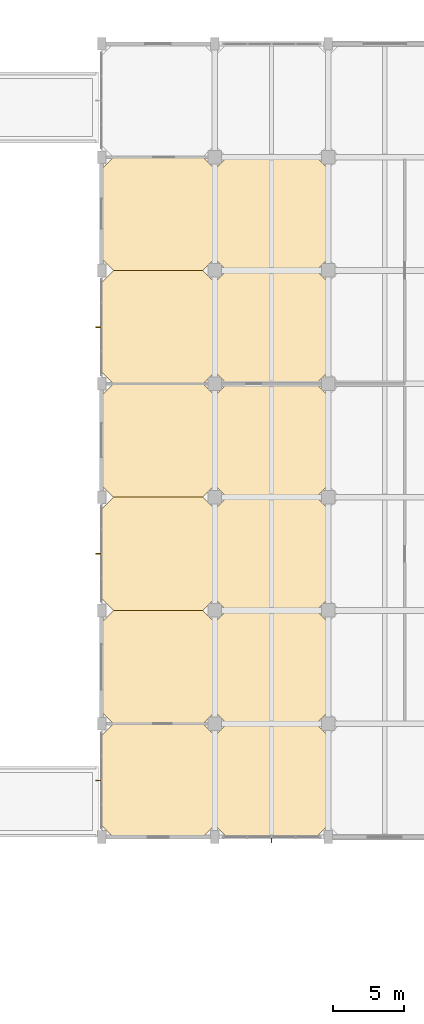
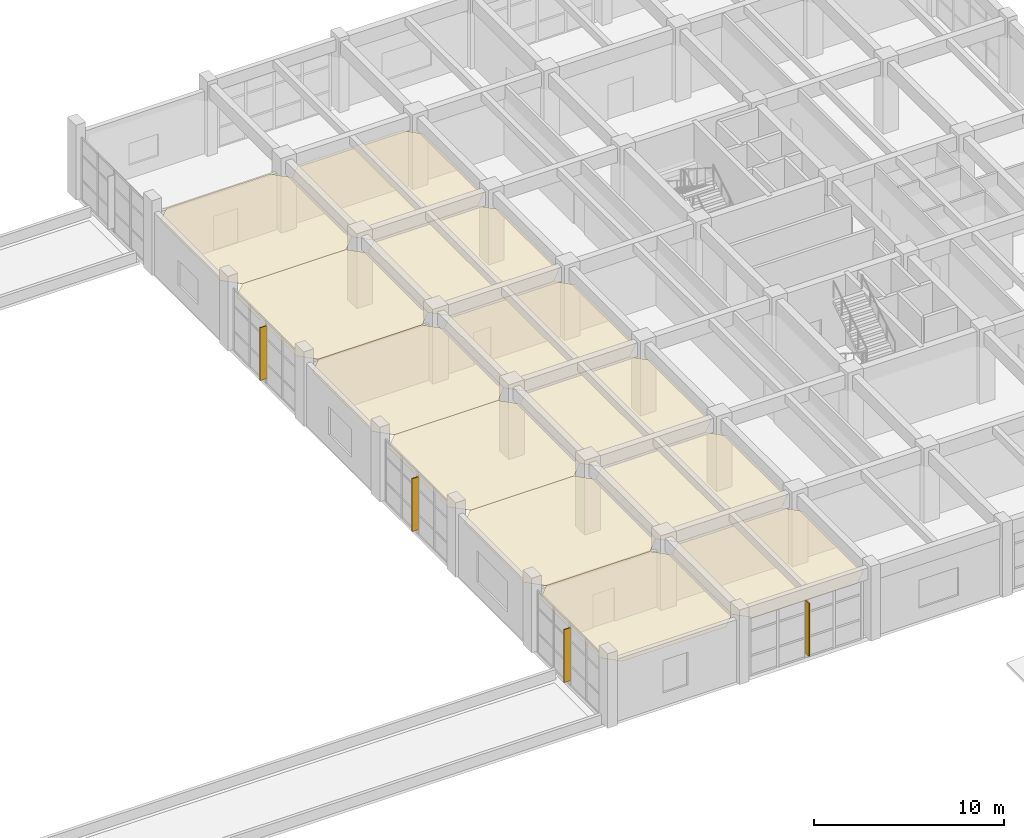
# One storey, part 57 of 63: 12 coverings, 4 shading devices.
"""IFC4 building model written with IfcOpenShell, lengths in metres."""

from ifc_helpers import new_model, si_unit, direction, frame, origin, origin_2d, place, context, subcontext, project, spatial, polyline, rectangle, outline, extrude, material, layer, layer_set, type_object, element, save


model = new_model("IFC4")

# Units and contexts
model_context = context("Model", 3, precision=1e-05, world=origin(), true_north=direction((0.0, 1.0)))
body_context = subcontext(model_context, "Body", "Model", "MODEL_VIEW")
ifc_project = project(units=[si_unit("LENGTHUNIT", "METRE"), si_unit("AREAUNIT", "SQUARE_METRE"), si_unit("VOLUMEUNIT", "CUBIC_METRE"), si_unit("PLANEANGLEUNIT", "RADIAN"), si_unit("MASSUNIT", "GRAM", prefix="KILO")], contexts=[model_context])

# Site, building, storey
site_placement = place(None, origin())
site = spatial("IfcSite", under=ifc_project, at=site_placement, CompositionType="ELEMENT")
building_placement = place(site_placement, origin())
building = spatial("IfcBuilding", under=site, at=building_placement, Name="Canggui Botanical Conservatory", CompositionType="ELEMENT")
storey_placement = place(building_placement, frame((0.0, 0.0, 10.199951171875)))
storey = spatial("IfcBuildingStorey", under=building, at=storey_placement, Name="L03", CompositionType="ELEMENT", Elevation=10.199951171875)

# Coverings
ifc_material_1 = material(Name="Mineral Fibre Acoustic Board")
ifc_layer_1 = layer(ifc_material_1, 0.014892578125, Name="Mineral Fibre Acoustic Board")
ifc_layer_set_1 = layer_set([ifc_layer_1], Name="Mineral Fibre Acoustic Board")
covering_type_1 = type_object("IfcCoveringType", Name="COV-CEIL-15", PredefinedType="CEILING", material=ifc_layer_set_1)
covering_1_placement = place(storey_placement, frame((0.0, 0.0, 3.635009765625)))
element("IfcCovering", 1, at=covering_1_placement, inside=storey, type_object=covering_type_1, Name="Suspended Acoustic Ceiling L03-130-26", PredefinedType="CEILING", context=body_context, shape_type="SweptSolid", body=[
    extrude(outline(polyline([(130.85009765625, 26.0), (137.14990234375, 26.0), (138.0, 26.85009765625), (138.0, 33.14990234375), (137.14990234375, 34.0), (130.85009765625, 34.0), (130.0, 33.14990234375), (130.0, 26.85009765625), (130.85009765625, 26.0)])), origin(), (0.0, 0.0, 1.0), 0.01513671875),
])
covering_2_placement = place(storey_placement, frame((0.0, 0.0, 3.635009765625)))
element("IfcCovering", 2, at=covering_2_placement, inside=storey, type_object=covering_type_1, Name="Suspended Acoustic Ceiling L03-130-42", PredefinedType="CEILING", context=body_context, shape_type="SweptSolid", body=[
    extrude(outline(polyline([(130.85009765625, 42.0), (137.14990234375, 42.0), (138.0, 42.85009765625), (138.0, 49.14990234375), (137.14990234375, 50.0), (130.85009765625, 50.0), (130.0, 49.14990234375), (130.0, 42.85009765625), (130.85009765625, 42.0)])), origin(), (0.0, 0.0, 1.0), 0.01513671875),
])
covering_3_placement = place(storey_placement, frame((0.0, 0.0, 3.635009765625)))
element("IfcCovering", 3, at=covering_3_placement, inside=storey, type_object=covering_type_1, Name="Suspended Acoustic Ceiling L03-130-58", PredefinedType="CEILING", context=body_context, shape_type="SweptSolid", body=[
    extrude(outline(polyline([(130.85009765625, 58.0), (137.14990234375, 58.0), (138.0, 58.85009765625), (138.0, 65.14990234375), (137.14990234375, 66.0), (130.85009765625, 66.0), (130.0, 65.14990234375), (130.0, 58.85009765625), (130.85009765625, 58.0)])), origin(), (0.0, 0.0, 1.0), 0.01513671875),
])
covering_4_placement = place(storey_placement, frame((0.0, 0.0, 3.635009765625)))
element("IfcCovering", 4, at=covering_4_placement, inside=storey, type_object=covering_type_1, Name="Suspended Acoustic Ceiling L03-138-34", PredefinedType="CEILING", context=body_context, shape_type="SweptSolid", body=[
    extrude(outline(polyline([(138.85009765625, 34.0), (145.14990234375, 34.0), (146.0, 34.85009765625), (146.0, 41.14990234375), (145.14990234375, 42.0), (138.85009765625, 42.0), (138.0, 41.14990234375), (138.0, 34.85009765625), (138.85009765625, 34.0)])), origin(), (0.0, 0.0, 1.0), 0.01513671875),
])
covering_5_placement = place(storey_placement, frame((0.0, 0.0, 3.635009765625)))
element("IfcCovering", 5, at=covering_5_placement, inside=storey, type_object=covering_type_1, Name="Suspended Acoustic Ceiling L03-138-50", PredefinedType="CEILING", context=body_context, shape_type="SweptSolid", body=[
    extrude(outline(polyline([(138.85009765625, 50.0), (145.14990234375, 50.0), (146.0, 50.85009765625), (146.0, 57.14990234375), (145.14990234375, 58.0), (138.85009765625, 58.0), (138.0, 57.14990234375), (138.0, 50.85009765625), (138.85009765625, 50.0)])), origin(), (0.0, 0.0, 1.0), 0.01513671875),
])
covering_6_placement = place(storey_placement, frame((0.0, 0.0, 3.635009765625)))
element("IfcCovering", 6, at=covering_6_placement, inside=storey, type_object=covering_type_1, Name="Suspended Acoustic Ceiling L03-138-66", PredefinedType="CEILING", context=body_context, shape_type="SweptSolid", body=[
    extrude(outline(polyline([(138.85009765625, 66.0), (145.14990234375, 66.0), (146.0, 66.85009765625), (146.0, 73.14990234375), (145.14990234375, 74.0), (138.85009765625, 74.0), (138.0, 73.14990234375), (138.0, 66.85009765625), (138.85009765625, 66.0)])), origin(), (0.0, 0.0, 1.0), 0.01513671875),
])
ifc_material_2 = material(Name="Perforated Gypsum Acoustic Panel")
ifc_layer_2 = layer(ifc_material_2, 0.02001953125, Name="Perforated Gypsum Acoustic Panel")
ifc_layer_set_2 = layer_set([ifc_layer_2], Name="Perforated Gypsum Acoustic Panel")
covering_type_2 = type_object("IfcCoveringType", Name="COV-CEIL-20", PredefinedType="CEILING", material=ifc_layer_set_2)
covering_7_placement = place(storey_placement, frame((0.0, 0.0, 3.630126953125)))
element("IfcCovering", 7, at=covering_7_placement, inside=storey, type_object=covering_type_2, Name="Suspended Acoustic Ceiling L03-130-34", PredefinedType="CEILING", context=body_context, shape_type="SweptSolid", body=[
    extrude(outline(polyline([(130.85009765625, 34.0), (137.14990234375, 34.0), (138.0, 34.85009765625), (138.0, 41.14990234375), (137.14990234375, 42.0), (130.85009765625, 42.0), (130.0, 41.14990234375), (130.0, 34.85009765625), (130.85009765625, 34.0)])), origin(), (0.0, 0.0, 1.0), 0.02001953125),
])
covering_8_placement = place(storey_placement, frame((0.0, 0.0, 3.630126953125)))
element("IfcCovering", 8, at=covering_8_placement, inside=storey, type_object=covering_type_2, Name="Suspended Acoustic Ceiling L03-130-50", PredefinedType="CEILING", context=body_context, shape_type="SweptSolid", body=[
    extrude(outline(polyline([(130.85009765625, 50.0), (137.14990234375, 50.0), (138.0, 50.85009765625), (138.0, 57.14990234375), (137.14990234375, 58.0), (130.85009765625, 58.0), (130.0, 57.14990234375), (130.0, 50.85009765625), (130.85009765625, 50.0)])), origin(), (0.0, 0.0, 1.0), 0.02001953125),
])
covering_9_placement = place(storey_placement, frame((0.0, 0.0, 3.630126953125)))
element("IfcCovering", 9, at=covering_9_placement, inside=storey, type_object=covering_type_2, Name="Suspended Acoustic Ceiling L03-130-66", PredefinedType="CEILING", context=body_context, shape_type="SweptSolid", body=[
    extrude(outline(polyline([(130.85009765625, 66.0), (137.14990234375, 66.0), (138.0, 66.85009765625), (138.0, 73.14990234375), (137.14990234375, 74.0), (130.85009765625, 74.0), (130.0, 73.14990234375), (130.0, 66.85009765625), (130.85009765625, 66.0)])), origin(), (0.0, 0.0, 1.0), 0.02001953125),
])
covering_10_placement = place(storey_placement, frame((0.0, 0.0, 3.630126953125)))
element("IfcCovering", 10, at=covering_10_placement, inside=storey, type_object=covering_type_2, Name="Suspended Acoustic Ceiling L03-138-26", PredefinedType="CEILING", context=body_context, shape_type="SweptSolid", body=[
    extrude(outline(polyline([(138.85009765625, 26.0), (145.14990234375, 26.0), (146.0, 26.85009765625), (146.0, 33.14990234375), (145.14990234375, 34.0), (138.85009765625, 34.0), (138.0, 33.14990234375), (138.0, 26.85009765625), (138.85009765625, 26.0)])), origin(), (0.0, 0.0, 1.0), 0.02001953125),
])
covering_11_placement = place(storey_placement, frame((0.0, 0.0, 3.630126953125)))
element("IfcCovering", 11, at=covering_11_placement, inside=storey, type_object=covering_type_2, Name="Suspended Acoustic Ceiling L03-138-42", PredefinedType="CEILING", context=body_context, shape_type="SweptSolid", body=[
    extrude(outline(polyline([(138.85009765625, 42.0), (145.14990234375, 42.0), (146.0, 42.85009765625), (146.0, 49.14990234375), (145.14990234375, 50.0), (138.85009765625, 50.0), (138.0, 49.14990234375), (138.0, 42.85009765625), (138.85009765625, 42.0)])), origin(), (0.0, 0.0, 1.0), 0.02001953125),
])
covering_12_placement = place(storey_placement, frame((0.0, 0.0, 3.630126953125)))
element("IfcCovering", 12, at=covering_12_placement, inside=storey, type_object=covering_type_2, Name="Suspended Acoustic Ceiling L03-138-58", PredefinedType="CEILING", context=body_context, shape_type="SweptSolid", body=[
    extrude(outline(polyline([(138.85009765625, 58.0), (145.14990234375, 58.0), (146.0, 58.85009765625), (146.0, 65.14990234375), (145.14990234375, 66.0), (138.85009765625, 66.0), (138.0, 65.14990234375), (138.0, 58.85009765625), (138.85009765625, 58.0)])), origin(), (0.0, 0.0, 1.0), 0.02001953125),
])

# Shading devices
ifc_material_3 = material(Name="Anodised Aluminium", Category="aluminium")
shading_device_type = type_object("IfcShadingDeviceType", Name="SHD-FIN01", PredefinedType="AWNING", material=ifc_material_3)
for number, where, z_axis, x_axis, name in (
    (13, (142.0, 25.804931640625, 0.300048828125), (0.0, 0.0, 1.0), (-1.0, 0.0, 0.0), "Solar Shading Fin CW-TWR-L03-05"),
    (14, (129.804931640625, 30.0, 0.300048828125), (0.0, 0.0, 1.0), (0.0, 1.0, 0.0), "Solar Shading Fin CW-TWR-L03-07"),
    (15, (129.804931640625, 46.0, 0.300048828125), (0.0, 0.0, 1.0), (0.0, 1.0, 0.0), "Solar Shading Fin CW-TWR-L03-09"),
    (16, (129.804931640625, 62.0, 0.300048828125), (0.0, 0.0, 1.0), (0.0, 1.0, 0.0), "Solar Shading Fin CW-TWR-L03-11"),
):
    element("IfcShadingDevice", number, at=place(storey_placement, frame(where, z_axis=z_axis, x_axis=x_axis)), inside=storey, type_object=shading_device_type, Name=name, PredefinedType="AWNING", context=body_context, shape_type="SweptSolid", body=[
        extrude(rectangle(XDim=0.06005859375, YDim=0.419921875, at=origin_2d()), origin(), (0.0, 0.0, 1.0), 3.39990234375),
    ])

save(model, "model.ifc")
